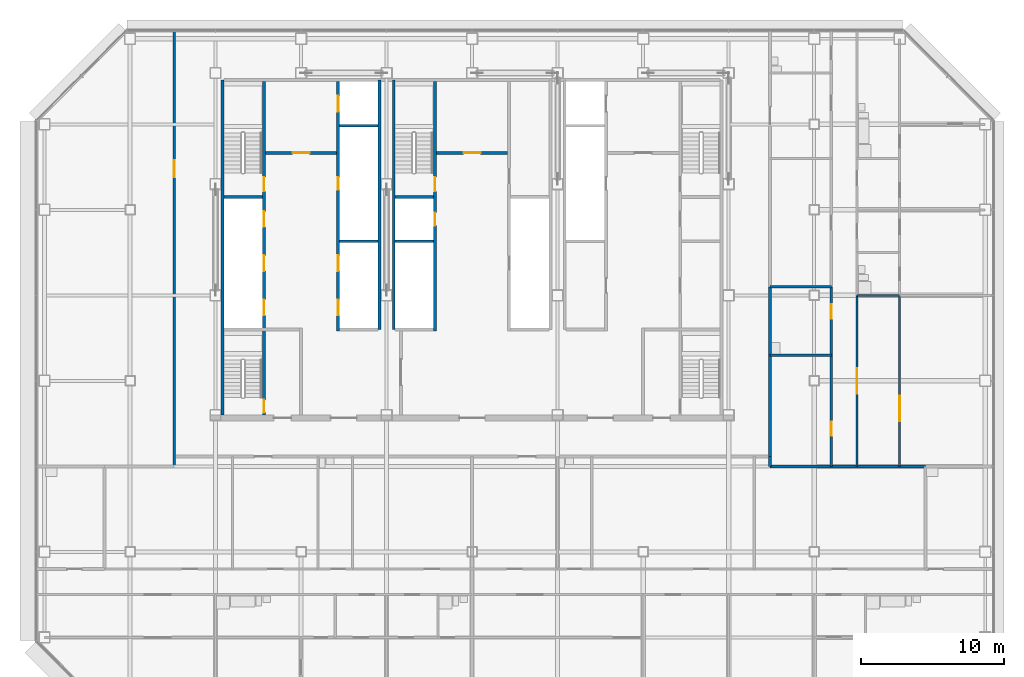
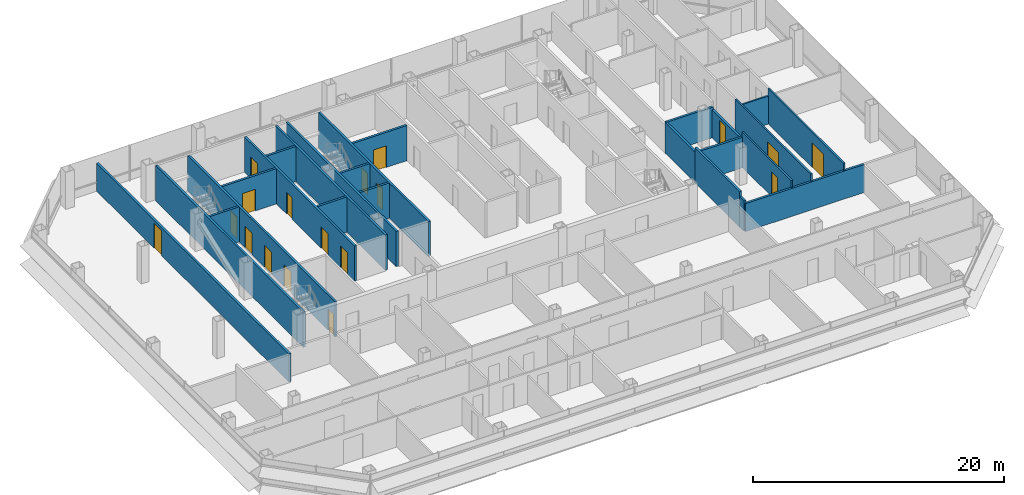
# One storey, part 21 of 25: 25 walls, 18 doors, 18 openings.
"""IFC4 building model written with IfcOpenShell, lengths in metres."""

from ifc_helpers import new_model, si_unit, direction, frame, frame_2d, origin, place, context, subcontext, project, spatial, rectangle, extrude, material, layer, layer_set, type_object, element, fill, save


model = new_model("IFC4")

# Units and contexts
model_context = context("Model", 3, precision=1e-05, world=origin(), true_north=direction((0.0, 1.0)))
body_context = subcontext(model_context, "Body", "Model", "MODEL_VIEW")
ifc_project = project(units=[si_unit("LENGTHUNIT", "METRE"), si_unit("AREAUNIT", "SQUARE_METRE"), si_unit("VOLUMEUNIT", "CUBIC_METRE"), si_unit("PLANEANGLEUNIT", "RADIAN"), si_unit("MASSUNIT", "GRAM", prefix="KILO")], contexts=[model_context])

# Site, building, storey
site_placement = place(None, origin())
site = spatial("IfcSite", under=ifc_project, at=site_placement, CompositionType="ELEMENT")
building_placement = place(site_placement, origin())
building = spatial("IfcBuilding", under=site, at=building_placement, Name="Sorahane Residences", CompositionType="ELEMENT")
storey_placement = place(building_placement, frame((0.0, 0.0, 143.800048828125)))
storey = spatial("IfcBuildingStorey", under=building, at=storey_placement, Name="L32", CompositionType="ELEMENT", Elevation=143.800048828125)

# Walls
ifc_material_1 = material(Name="Concrete C30", Category="concrete")
ifc_layer_1 = layer(ifc_material_1, 0.199951171875)
ifc_layer_set_1 = layer_set([ifc_layer_1], Name="Core face wall 200 EI 180")
wall_type_1 = type_object("IfcWallType", Name="Core face wall 200 EI 180", PredefinedType="SOLIDWALL", material=ifc_layer_set_1)
wall_1_placement = place(storey_placement, frame((6.5, 21.60009765625, 0.0), z_axis=(0.0, 0.0, 1.0), x_axis=(0.0, 1.0, 0.0)))
element("IfcWall", 1, at=wall_1_placement, inside=storey, type_object=wall_type_1, Name="L32 core face wall", PredefinedType="SOLIDWALL", context=body_context, shape_type="SweptSolid", body=[
    extrude(rectangle(XDim=23.5, YDim=0.199951171875, at=frame_2d((11.75, 0.0))), origin(), (0.0, 0.0, 1.0), 3.419921875),
])
for number, where, z_axis, x_axis, name in (
    (2, (17.5, 27.60009765625, 0.0), (0.0, 0.0, 1.0), (0.0, 1.0, 0.0), "L32 core face wall"),
    (3, (18.5, 27.60009765625, 0.0), (0.0, 0.0, 1.0), (0.0, 1.0, 0.0), "L32 core face wall"),
):
    element("IfcWall", number, at=place(storey_placement, frame(where, z_axis=z_axis, x_axis=x_axis)), inside=storey, type_object=wall_type_1, Name=name, PredefinedType="SOLIDWALL", context=body_context, shape_type="SweptSolid", body=[
        extrude(rectangle(XDim=17.5, YDim=0.199951171875, at=frame_2d((8.75, 0.0))), origin(), (0.0, 0.0, 1.0), 3.419921875),
    ])

# Wall, opening, door
ifc_material_2 = material(Name="Concrete blockwork C20 wall", Category="masonry")
ifc_layer_2 = layer(ifc_material_2, 0.199951171875)
ifc_layer_set_2 = layer_set([ifc_layer_2], Name="Corridor wall 200 EI 120")
wall_type_2 = type_object("IfcWallType", Name="Corridor wall 200 EI 120", PredefinedType="SOLIDWALL", material=ifc_layer_set_2)
wall_2_placement = place(storey_placement, frame((3.10009765625, 18.0, 0.0), z_axis=(0.0, 0.0, 1.0), x_axis=(0.0, 1.0, 0.0)))
wall_2 = element("IfcWall", 4, at=wall_2_placement, inside=storey, type_object=wall_type_2, Name="L32 corridor wall", PredefinedType="SOLIDWALL", context=body_context, shape_type="SweptSolid", body=[
    extrude(rectangle(XDim=30.60009765625, YDim=0.199951171875, at=frame_2d((15.300048828125, 0.0))), origin(), (0.0, 0.0, 1.0), 2.719970703125),
])
opening_1_placement = place(wall_2_placement, frame((20.27001953125, 0.0, 0.0)))
opening_1 = element("IfcOpeningElement", 5, at=opening_1_placement, cuts=wall_2, Name="Opening L32-45", PredefinedType="OPENING", context=body_context, shape_type="SweptSolid", body=[
    extrude(rectangle(XDim=1.199951171875, YDim=2.39990234375, at=frame_2d((0.60009765625, 1.199951171875))), frame((0.0, 0.10986328125, 0.0), z_axis=(0.0, -1.0, 0.0), x_axis=(1.0, 0.0, 0.0)), (0.0, 0.0, 1.0), 0.219970703125),
])
ifc_material_3 = material(Name="Steel", Category="steel")
door_type_1 = type_object("IfcDoorType", Name="Lobby door 1200x2400 FD60", OperationType="NOTDEFINED", PredefinedType="DOOR", material=ifc_material_3)
door_1_placement = place(opening_1_placement, origin())
door_1 = element("IfcDoor", 6, at=door_1_placement, inside=storey, type_object=door_type_1, Name="Lobby door L32-45", OperationType="SINGLE_SWING_RIGHT", OverallHeight=2.39990234375, OverallWidth=1.199951171875, PredefinedType="DOOR", context=body_context, shape_type="SweptSolid", body=[
    extrude(rectangle(XDim=1.199951171875, YDim=2.39990234375, at=frame_2d((0.60009765625, 1.199951171875))), frame((0.0, 0.02490234375, 0.0), z_axis=(0.0, -1.0, 0.0), x_axis=(1.0, 0.0, 0.0)), (0.0, 0.0, 1.0), 0.050048828125),
])
fill(opening_1, door_1)

# Wall
wall_3_placement = place(storey_placement, frame((44.89990234375, 18.699951171875, 0.0), z_axis=(0.0, 0.0, 1.0), x_axis=(0.0, 1.0, 0.0)))
element("IfcWall", 7, at=wall_3_placement, inside=storey, type_object=wall_type_2, Name="L32 corridor wall", PredefinedType="SOLIDWALL", context=body_context, shape_type="SweptSolid", body=[
    extrude(rectangle(XDim=7.10009765625, YDim=0.199951171875, at=frame_2d((3.550048828125, 0.0))), origin(), (0.0, 0.0, 1.0), 3.419921875),
])

# Wall, opening, door
ifc_material_4 = material(Name="Concrete C30", Category="concrete")
ifc_layer_3 = layer(ifc_material_4, 0.199951171875)
ifc_layer_set_3 = layer_set([ifc_layer_3], Name="Front room wall 200 EI 120")
wall_type_3 = type_object("IfcWallType", Name="Front room wall 200 EI 120", PredefinedType="PARTITIONING", material=ifc_layer_set_3)
wall_4_placement = place(storey_placement, frame((21.5, 40.0, 0.0), z_axis=(0.0, 0.0, 1.0), x_axis=(1.0, 0.0, 0.0)))
wall_4 = element("IfcWall", 8, at=wall_4_placement, inside=storey, type_object=wall_type_3, Name="L32 front room wall", PredefinedType="PARTITIONING", context=body_context, shape_type="SweptSolid", body=[
    extrude(rectangle(XDim=5.0, YDim=0.199951171875, at=frame_2d((2.5, 0.0))), origin(), (0.0, 0.0, 1.0), 3.419921875),
])
opening_2_placement = place(wall_4_placement, frame((1.89990234375, 0.0, 0.0)))
opening_2 = element("IfcOpeningElement", 9, at=opening_2_placement, cuts=wall_4, Name="Opening L32-C08", PredefinedType="OPENING", context=body_context, shape_type="SweptSolid", body=[
    extrude(rectangle(XDim=1.199951171875, YDim=2.10009765625, at=frame_2d((0.60009765625, 1.050048828125))), frame((0.0, 0.10986328125, 0.0), z_axis=(0.0, -1.0, 0.0), x_axis=(1.0, 0.0, 0.0)), (0.0, 0.0, 1.0), 0.219970703125),
])
ifc_material_5 = material(Name="Steel", Category="steel")
door_type_2 = type_object("IfcDoorType", Name="Front room door 1200x2100 FD120", OperationType="NOTDEFINED", PredefinedType="DOOR", material=ifc_material_5)
door_2_placement = place(opening_2_placement, frame((1.199951171875, 0.0, 0.0), z_axis=(0.0, 0.0, 1.0), x_axis=(-1.0, 0.0, 0.0)))
door_2 = element("IfcDoor", 10, at=door_2_placement, inside=storey, type_object=door_type_2, Name="Front room door Stair S3 vestibule L32", OperationType="DOUBLE_DOOR_SINGLE_SWING", OverallHeight=2.10009765625, OverallWidth=1.199951171875, PredefinedType="DOOR", context=body_context, shape_type="SweptSolid", body=[
    extrude(rectangle(XDim=1.199951171875, YDim=2.10009765625, at=frame_2d((0.60009765625, 1.050048828125))), frame((0.0, 0.02490234375, 0.0), z_axis=(0.0, -1.0, 0.0), x_axis=(1.0, 0.0, 0.0)), (0.0, 0.0, 1.0), 0.050048828125),
])
fill(opening_2, door_2)

wall_5_placement = place(storey_placement, frame((9.5, 40.0, 0.0), z_axis=(0.0, 0.0, 1.0), x_axis=(1.0, 0.0, 0.0)))
wall_5 = element("IfcWall", 11, at=wall_5_placement, inside=storey, type_object=wall_type_3, Name="L32 front room wall", PredefinedType="PARTITIONING", context=body_context, shape_type="SweptSolid", body=[
    extrude(rectangle(XDim=5.0, YDim=0.199951171875, at=frame_2d((2.5, 0.0))), origin(), (0.0, 0.0, 1.0), 3.419921875),
])
opening_3_placement = place(wall_5_placement, frame((1.89990234375, 0.0, 0.0)))
opening_3 = element("IfcOpeningElement", 12, at=opening_3_placement, cuts=wall_5, Name="Opening L32-C07", PredefinedType="OPENING", context=body_context, shape_type="SweptSolid", body=[
    extrude(rectangle(XDim=1.199951171875, YDim=2.10009765625, at=frame_2d((0.60009765625, 1.050048828125))), frame((0.0, 0.10986328125, 0.0), z_axis=(0.0, -1.0, 0.0), x_axis=(1.0, 0.0, 0.0)), (0.0, 0.0, 1.0), 0.219970703125),
])
door_3_placement = place(opening_3_placement, frame((1.199951171875, 0.0, 0.0), z_axis=(0.0, 0.0, 1.0), x_axis=(-1.0, 0.0, 0.0)))
door_3 = element("IfcDoor", 13, at=door_3_placement, inside=storey, type_object=door_type_2, Name="Front room door Firefighting lobby FF1 front room L32", OperationType="DOUBLE_DOOR_SINGLE_SWING", OverallHeight=2.10009765625, OverallWidth=1.199951171875, PredefinedType="DOOR", context=body_context, shape_type="SweptSolid", body=[
    extrude(rectangle(XDim=1.199951171875, YDim=2.10009765625, at=frame_2d((0.60009765625, 1.050048828125))), frame((0.0, 0.02490234375, 0.0), z_axis=(0.0, -1.0, 0.0), x_axis=(1.0, 0.0, 0.0)), (0.0, 0.0, 1.0), 0.050048828125),
])
fill(opening_3, door_3)

# Wall
ifc_material_6 = material(Name="Concrete blockwork C20 wall", Category="masonry")
ifc_layer_4 = layer(ifc_material_6, 0.199951171875)
ifc_layer_set_4 = layer_set([ifc_layer_4], Name="Kitchen wall 200 EI 180")
wall_type_4 = type_object("IfcWallType", Name="Kitchen wall 200 EI 180", PredefinedType="SOLIDWALL", material=ifc_layer_set_4)
wall_6_placement = place(storey_placement, frame((44.89990234375, 25.800048828125, 0.0), z_axis=(0.0, 0.0, 1.0), x_axis=(0.0, 1.0, 0.0)))
element("IfcWall", 14, at=wall_6_placement, inside=storey, type_object=wall_type_4, Name="L32 kitchen wall", PredefinedType="SOLIDWALL", context=body_context, shape_type="SweptSolid", body=[
    extrude(rectangle(XDim=4.800048828125, YDim=0.199951171875, at=frame_2d((2.39990234375, 0.0))), origin(), (0.0, 0.0, 1.0), 2.969970703125),
])

# Wall, opening, door
wall_7_placement = place(storey_placement, frame((49.199951171875, 25.800048828125, 0.0), z_axis=(0.0, 0.0, 1.0), x_axis=(0.0, 1.0, 0.0)))
wall_7 = element("IfcWall", 15, at=wall_7_placement, inside=storey, type_object=wall_type_4, Name="L32 kitchen wall", PredefinedType="SOLIDWALL", context=body_context, shape_type="SweptSolid", body=[
    extrude(rectangle(XDim=4.800048828125, YDim=0.199951171875, at=frame_2d((2.39990234375, 0.0))), origin(), (0.0, 0.0, 1.0), 2.719970703125),
])
opening_4_placement = place(wall_7_placement, frame((2.56005859375, 0.0, 0.0)))
opening_4 = element("IfcOpeningElement", 16, at=opening_4_placement, cuts=wall_7, Name="Opening L32-30", PredefinedType="OPENING", context=body_context, shape_type="SweptSolid", body=[
    extrude(rectangle(XDim=1.0, YDim=2.39990234375, at=frame_2d((0.5, 1.199951171875))), frame((0.0, 0.10986328125, 0.0), z_axis=(0.0, -1.0, 0.0), x_axis=(1.0, 0.0, 0.0)), (0.0, 0.0, 1.0), 0.219970703125),
])
ifc_material_7 = material(Name="Steel", Category="steel")
door_type_3 = type_object("IfcDoorType", Name="Kitchen door 1000x2400 FD120", OperationType="NOTDEFINED", PredefinedType="DOOR", material=ifc_material_7)
door_4_placement = place(opening_4_placement, origin())
door_4 = element("IfcDoor", 17, at=door_4_placement, inside=storey, type_object=door_type_3, Name="Kitchen door L32-30", OperationType="SINGLE_SWING_RIGHT", OverallHeight=2.39990234375, OverallWidth=1.0, PredefinedType="DOOR", context=body_context, shape_type="SweptSolid", body=[
    extrude(rectangle(XDim=1.0, YDim=2.39990234375, at=frame_2d((0.5, 1.199951171875))), frame((0.0, 0.02490234375, 0.0), z_axis=(0.0, -1.0, 0.0), x_axis=(1.0, 0.0, 0.0)), (0.0, 0.0, 1.0), 0.050048828125),
])
fill(opening_4, door_4)

# Walls
for number, where, z_axis, x_axis, name in (
    (18, (44.89990234375, 25.800048828125, 0.0), (0.0, 0.0, 1.0), (1.0, 0.0, 0.0), "L32 kitchen wall"),
    (19, (44.89990234375, 30.60009765625, 0.0), (0.0, 0.0, 1.0), (1.0, 0.0, 0.0), "L32 kitchen wall"),
):
    element("IfcWall", number, at=place(storey_placement, frame(where, z_axis=z_axis, x_axis=x_axis)), inside=storey, type_object=wall_type_4, Name=name, PredefinedType="SOLIDWALL", context=body_context, shape_type="SweptSolid", body=[
        extrude(rectangle(XDim=4.300048828125, YDim=0.199951171875, at=frame_2d((2.14990234375, 0.0))), origin(), (0.0, 0.0, 1.0), 2.969970703125),
    ])

# Wall, openings, doors
ifc_material_8 = material(Name="Concrete C30", Category="concrete")
ifc_layer_5 = layer(ifc_material_8, 0.199951171875)
ifc_layer_set_5 = layer_set([ifc_layer_5], Name="Lift shaft wall 200 EI 120")
wall_type_5 = type_object("IfcWallType", Name="Lift shaft wall 200 EI 120", PredefinedType="SOLIDWALL", material=ifc_layer_set_5)
wall_8_placement = place(storey_placement, frame((14.60009765625, 27.5, 0.0), z_axis=(0.0, 0.0, 1.0), x_axis=(0.0, 1.0, 0.0)))
wall_8 = element("IfcWall", 20, at=wall_8_placement, inside=storey, type_object=wall_type_5, Name="L32 lift shaft wall", PredefinedType="SOLIDWALL", context=body_context, shape_type="SweptSolid", body=[
    extrude(rectangle(XDim=17.5, YDim=0.199951171875, at=frame_2d((8.75, 0.0))), origin(), (0.0, 0.0, 1.0), 3.419921875),
])
opening_5_placement = place(wall_8_placement, frame((1.10009765625, 0.0, 0.0)))
opening_5 = element("IfcOpeningElement", 21, at=opening_5_placement, cuts=wall_8, Name="Opening L32-C11", PredefinedType="OPENING", context=body_context, shape_type="SweptSolid", body=[
    extrude(rectangle(XDim=1.10009765625, YDim=2.10009765625, at=frame_2d((0.550048828125, 1.050048828125))), frame((0.0, 0.10986328125, 0.0), z_axis=(0.0, -1.0, 0.0), x_axis=(1.0, 0.0, 0.0)), (0.0, 0.0, 1.0), 0.219970703125),
])
opening_6_placement = place(wall_8_placement, frame((4.199951171875, 0.0, 0.0)))
opening_6 = element("IfcOpeningElement", 22, at=opening_6_placement, cuts=wall_8, Name="Opening L32-C12", PredefinedType="OPENING", context=body_context, shape_type="SweptSolid", body=[
    extrude(rectangle(XDim=1.10009765625, YDim=2.10009765625, at=frame_2d((0.550048828125, 1.050048828125))), frame((0.0, 0.10986328125, 0.0), z_axis=(0.0, -1.0, 0.0), x_axis=(1.0, 0.0, 0.0)), (0.0, 0.0, 1.0), 0.219970703125),
])
opening_7_placement = place(wall_8_placement, frame((15.39990234375, 0.0, 0.0)))
opening_7 = element("IfcOpeningElement", 23, at=opening_7_placement, cuts=wall_8, Name="Opening L32-C13", PredefinedType="OPENING", context=body_context, shape_type="SweptSolid", body=[
    extrude(rectangle(XDim=1.10009765625, YDim=2.10009765625, at=frame_2d((0.550048828125, 1.050048828125))), frame((0.0, 0.10986328125, 0.0), z_axis=(0.0, -1.0, 0.0), x_axis=(1.0, 0.0, 0.0)), (0.0, 0.0, 1.0), 0.219970703125),
])
opening_8_placement = place(wall_8_placement, frame((9.89990234375, 0.0, 0.0)))
opening_8 = element("IfcOpeningElement", 24, at=opening_8_placement, cuts=wall_8, Name="Opening L32-C25", PredefinedType="OPENING", context=body_context, shape_type="SweptSolid", body=[
    extrude(rectangle(XDim=0.89990234375, YDim=2.10009765625, at=frame_2d((0.449951171875, 1.050048828125))), frame((0.0, 0.10986328125, 0.0), z_axis=(0.0, -1.0, 0.0), x_axis=(1.0, 0.0, 0.0)), (0.0, 0.0, 1.0), 0.219970703125),
])
ifc_material_9 = material(Name="Aluminium and stainless steel", Category="steel")
door_type_4 = type_object("IfcDoorType", Name="Lift landing door 1100x2100 E 60", OperationType="NOTDEFINED", PredefinedType="DOOR", material=ifc_material_9)
door_5_placement = place(opening_5_placement, origin())
door_5 = element("IfcDoor", 25, at=door_5_placement, inside=storey, type_object=door_type_4, Name="Lift landing door LR4 L32", OperationType="DOUBLE_DOOR_SLIDING", OverallHeight=2.10009765625, OverallWidth=1.10009765625, PredefinedType="DOOR", context=body_context, shape_type="SweptSolid", body=[
    extrude(rectangle(XDim=1.10009765625, YDim=2.10009765625, at=frame_2d((0.550048828125, 1.050048828125))), frame((0.0, 0.02490234375, 0.0), z_axis=(0.0, -1.0, 0.0), x_axis=(1.0, 0.0, 0.0)), (0.0, 0.0, 1.0), 0.050048828125),
])
fill(opening_5, door_5)
door_6_placement = place(opening_6_placement, origin())
door_6 = element("IfcDoor", 26, at=door_6_placement, inside=storey, type_object=door_type_4, Name="Lift landing door LR5 L32", OperationType="DOUBLE_DOOR_SLIDING", OverallHeight=2.10009765625, OverallWidth=1.10009765625, PredefinedType="DOOR", context=body_context, shape_type="SweptSolid", body=[
    extrude(rectangle(XDim=1.10009765625, YDim=2.10009765625, at=frame_2d((0.550048828125, 1.050048828125))), frame((0.0, 0.02490234375, 0.0), z_axis=(0.0, -1.0, 0.0), x_axis=(1.0, 0.0, 0.0)), (0.0, 0.0, 1.0), 0.050048828125),
])
fill(opening_6, door_6)
door_7_placement = place(opening_7_placement, origin())
door_7 = element("IfcDoor", 27, at=door_7_placement, inside=storey, type_object=door_type_4, Name="Lift landing door FF1 L32", OperationType="DOUBLE_DOOR_SLIDING", OverallHeight=2.10009765625, OverallWidth=1.10009765625, PredefinedType="DOOR", context=body_context, shape_type="SweptSolid", body=[
    extrude(rectangle(XDim=1.10009765625, YDim=2.10009765625, at=frame_2d((0.550048828125, 1.050048828125))), frame((0.0, 0.02490234375, 0.0), z_axis=(0.0, -1.0, 0.0), x_axis=(1.0, 0.0, 0.0)), (0.0, 0.0, 1.0), 0.050048828125),
])
fill(opening_7, door_7)
ifc_material_10 = material(Name="Steel", Category="steel")
door_type_5 = type_object("IfcDoorType", Name="Riser door 900x2100 FD120", OperationType="NOTDEFINED", PredefinedType="DOOR", material=ifc_material_10)
door_8_placement = place(opening_8_placement, origin())
door_8 = element("IfcDoor", 28, at=door_8_placement, inside=storey, type_object=door_type_5, Name="Riser door R1 L32", OperationType="SINGLE_SWING_LEFT", OverallHeight=2.10009765625, OverallWidth=0.89990234375, PredefinedType="DOOR", context=body_context, shape_type="SweptSolid", body=[
    extrude(rectangle(XDim=0.89990234375, YDim=2.10009765625, at=frame_2d((0.449951171875, 1.050048828125))), frame((0.0, 0.02490234375, 0.0), z_axis=(0.0, -1.0, 0.0), x_axis=(1.0, 0.0, 0.0)), (0.0, 0.0, 1.0), 0.050048828125),
])
fill(opening_8, door_8)

# Walls
for number, where, z_axis, x_axis, name in (
    (29, (14.699951171875, 33.800048828125, 0.0), (0.0, 0.0, 1.0), (1.0, 0.0, 0.0), "L32 lift shaft wall"),
    (30, (18.60009765625, 33.800048828125, 0.0), (0.0, 0.0, 1.0), (1.0, 0.0, 0.0), "L32 lift shaft wall"),
    (31, (14.699951171875, 41.89990234375, 0.0), (0.0, 0.0, 1.0), (1.0, 0.0, 0.0), "L32 lift shaft wall"),
):
    element("IfcWall", number, at=place(storey_placement, frame(where, z_axis=z_axis, x_axis=x_axis)), inside=storey, type_object=wall_type_5, Name=name, PredefinedType="SOLIDWALL", context=body_context, shape_type="SweptSolid", body=[
        extrude(rectangle(XDim=2.699951171875, YDim=0.199951171875, at=frame_2d((1.35009765625, 0.0))), origin(), (0.0, 0.0, 1.0), 3.419921875),
    ])

# Wall, opening, door
ifc_material_11 = material(Name="Gypsum board partition on steel studs", Category="steel")
ifc_layer_6 = layer(ifc_material_11, 0.14990234375)
ifc_layer_set_6 = layer_set([ifc_layer_6], Name="Partition 150 EI 90")
wall_type_6 = type_object("IfcWallType", Name="Partition 150 EI 90", PredefinedType="PARTITIONING", material=ifc_layer_set_6)
wall_9_placement = place(storey_placement, frame((49.199951171875, 18.0, 0.0), z_axis=(0.0, 0.0, 1.0), x_axis=(0.0, 1.0, 0.0)))
wall_9 = element("IfcWall", 32, at=wall_9_placement, inside=storey, type_object=wall_type_6, Name="L32 partition", PredefinedType="PARTITIONING", context=body_context, shape_type="SweptSolid", body=[
    extrude(rectangle(XDim=7.800048828125, YDim=0.14990234375, at=frame_2d((3.89990234375, 0.0))), origin(), (0.0, 0.0, 1.0), 3.419921875),
])
opening_9_placement = place(wall_9_placement, frame((2.139892578125, 0.0, 0.0)))
opening_9 = element("IfcOpeningElement", 33, at=opening_9_placement, cuts=wall_9, Name="Opening L32-29", PredefinedType="OPENING", context=body_context, shape_type="SweptSolid", body=[
    extrude(rectangle(XDim=1.0, YDim=2.39990234375, at=frame_2d((0.5, 1.199951171875))), frame((0.0, 0.0849609375, 0.0), z_axis=(0.0, -1.0, 0.0), x_axis=(1.0, 0.0, 0.0)), (0.0, 0.0, 1.0), 0.169921875),
])
ifc_material_12 = material(Name="Timber veneered fire door", Category="wood")
door_type_6 = type_object("IfcDoorType", Name="Room door 1000x2400 FD30", OperationType="NOTDEFINED", PredefinedType="DOOR", material=ifc_material_12)
door_9_placement = place(opening_9_placement, origin())
door_9 = element("IfcDoor", 34, at=door_9_placement, inside=storey, type_object=door_type_6, Name="Room door L32-29", OperationType="SINGLE_SWING_RIGHT", OverallHeight=2.39990234375, OverallWidth=1.0, PredefinedType="DOOR", context=body_context, shape_type="SweptSolid", body=[
    extrude(rectangle(XDim=1.0, YDim=2.39990234375, at=frame_2d((0.5, 1.199951171875))), frame((0.0, 0.02490234375, 0.0), z_axis=(0.0, -1.0, 0.0), x_axis=(1.0, 0.0, 0.0)), (0.0, 0.0, 1.0), 0.050048828125),
])
fill(opening_9, door_9)

wall_10_placement = place(storey_placement, frame((51.0, 18.0, 0.0), z_axis=(0.0, 0.0, 1.0), x_axis=(0.0, 1.0, 0.0)))
wall_10 = element("IfcWall", 35, at=wall_10_placement, inside=storey, type_object=wall_type_6, Name="L32 partition", PredefinedType="PARTITIONING", context=body_context, shape_type="SweptSolid", body=[
    extrude(rectangle(XDim=12.0, YDim=0.14990234375, at=frame_2d((6.0, 0.0))), origin(), (0.0, 0.0, 1.0), 3.419921875),
])
opening_10_placement = place(wall_10_placement, frame((5.10009765625, 0.0, 0.0)))
opening_10 = element("IfcOpeningElement", 36, at=opening_10_placement, cuts=wall_10, Name="Opening L32-33", PredefinedType="OPENING", context=body_context, shape_type="SweptSolid", body=[
    extrude(rectangle(XDim=1.800048828125, YDim=2.39990234375, at=frame_2d((0.89990234375, 1.199951171875))), frame((0.0, 0.0849609375, 0.0), z_axis=(0.0, -1.0, 0.0), x_axis=(1.0, 0.0, 0.0)), (0.0, 0.0, 1.0), 0.169921875),
])
ifc_material_13 = material(Name="Timber veneered fire door", Category="wood")
door_type_7 = type_object("IfcDoorType", Name="Double door 1800x2400 FD30", OperationType="NOTDEFINED", PredefinedType="DOOR", material=ifc_material_13)
door_10_placement = place(opening_10_placement, frame((1.800048828125, 0.0, 0.0), z_axis=(0.0, 0.0, 1.0), x_axis=(-1.0, 0.0, 0.0)))
door_10 = element("IfcDoor", 37, at=door_10_placement, inside=storey, type_object=door_type_7, Name="Double door L32-33", OperationType="SINGLE_SWING_RIGHT", OverallHeight=2.39990234375, OverallWidth=1.800048828125, PredefinedType="DOOR", context=body_context, shape_type="SweptSolid", body=[
    extrude(rectangle(XDim=1.800048828125, YDim=2.39990234375, at=frame_2d((0.89990234375, 1.199951171875))), frame((0.0, 0.02490234375, 0.0), z_axis=(0.0, -1.0, 0.0), x_axis=(1.0, 0.0, 0.0)), (0.0, 0.0, 1.0), 0.050048828125),
])
fill(opening_10, door_10)

wall_11_placement = place(storey_placement, frame((54.0, 18.0, 0.0), z_axis=(0.0, 0.0, 1.0), x_axis=(0.0, 1.0, 0.0)))
wall_11 = element("IfcWall", 38, at=wall_11_placement, inside=storey, type_object=wall_type_6, Name="L32 partition", PredefinedType="PARTITIONING", context=body_context, shape_type="SweptSolid", body=[
    extrude(rectangle(XDim=12.0, YDim=0.14990234375, at=frame_2d((6.0, 0.0))), origin(), (0.0, 0.0, 1.0), 3.419921875),
])
opening_11_placement = place(wall_11_placement, frame((3.159912109375, 0.0, 0.0)))
opening_11 = element("IfcOpeningElement", 39, at=opening_11_placement, cuts=wall_11, Name="Opening L32-36", PredefinedType="OPENING", context=body_context, shape_type="SweptSolid", body=[
    extrude(rectangle(XDim=1.800048828125, YDim=2.39990234375, at=frame_2d((0.89990234375, 1.199951171875))), frame((0.0, 0.0849609375, 0.0), z_axis=(0.0, -1.0, 0.0), x_axis=(1.0, 0.0, 0.0)), (0.0, 0.0, 1.0), 0.169921875),
])
door_11_placement = place(opening_11_placement, frame((1.800048828125, 0.0, 0.0), z_axis=(0.0, 0.0, 1.0), x_axis=(-1.0, 0.0, 0.0)))
door_11 = element("IfcDoor", 40, at=door_11_placement, inside=storey, type_object=door_type_7, Name="Double door L32-36", OperationType="SINGLE_SWING_RIGHT", OverallHeight=2.39990234375, OverallWidth=1.800048828125, PredefinedType="DOOR", context=body_context, shape_type="SweptSolid", body=[
    extrude(rectangle(XDim=1.800048828125, YDim=2.39990234375, at=frame_2d((0.89990234375, 1.199951171875))), frame((0.0, 0.02490234375, 0.0), z_axis=(0.0, -1.0, 0.0), x_axis=(1.0, 0.0, 0.0)), (0.0, 0.0, 1.0), 0.050048828125),
])
fill(opening_11, door_11)

# Walls
ifc_material_14 = material(Name="Concrete blockwork C20 wall", Category="masonry")
ifc_layer_7 = layer(ifc_material_14, 0.199951171875)
ifc_layer_set_7 = layer_set([ifc_layer_7], Name="Party wall 200 EI 120")
wall_type_7 = type_object("IfcWallType", Name="Party wall 200 EI 120", PredefinedType="SOLIDWALL", material=ifc_layer_set_7)
wall_12_placement = place(storey_placement, frame((44.89990234375, 18.0, 0.0), z_axis=(0.0, 0.0, 1.0), x_axis=(0.0, 1.0, 0.0)))
element("IfcWall", 41, at=wall_12_placement, inside=storey, type_object=wall_type_7, Name="L32 party wall", PredefinedType="SOLIDWALL", context=body_context, shape_type="SweptSolid", body=[
    extrude(rectangle(XDim=0.699951171875, YDim=0.199951171875, at=frame_2d((0.35009765625, 0.0))), origin(), (0.0, 0.0, 1.0), 2.969970703125),
])
wall_13_placement = place(storey_placement, frame((44.89990234375, 18.0, 0.0), z_axis=(0.0, 0.0, 1.0), x_axis=(1.0, 0.0, 0.0)))
element("IfcWall", 42, at=wall_13_placement, inside=storey, type_object=wall_type_7, Name="L32 party wall", PredefinedType="SOLIDWALL", context=body_context, shape_type="SweptSolid", body=[
    extrude(rectangle(XDim=10.900146484375, YDim=0.199951171875, at=frame_2d((5.4501953125, 0.0))), origin(), (0.0, 0.0, 1.0), 2.719970703125),
])

# Wall, openings, doors
ifc_material_15 = material(Name="Concrete C30", Category="concrete")
ifc_layer_8 = layer(ifc_material_15, 0.199951171875)
ifc_layer_set_8 = layer_set([ifc_layer_8], Name="Stair enclosure wall 200 EI 120")
wall_type_8 = type_object("IfcWallType", Name="Stair enclosure wall 200 EI 120", PredefinedType="SOLIDWALL", material=ifc_layer_set_8)
wall_14_placement = place(storey_placement, frame((21.39990234375, 27.5, 0.0), z_axis=(0.0, 0.0, 1.0), x_axis=(0.0, 1.0, 0.0)))
wall_14 = element("IfcWall", 43, at=wall_14_placement, inside=storey, type_object=wall_type_8, Name="L32 stair enclosure wall", PredefinedType="SOLIDWALL", context=body_context, shape_type="SweptSolid", body=[
    extrude(rectangle(XDim=17.5, YDim=0.199951171875, at=frame_2d((8.75, 0.0))), origin(), (0.0, 0.0, 1.0), 3.419921875),
])
opening_12_placement = place(wall_14_placement, frame((9.800048828125, 0.0, 0.0)))
opening_12 = element("IfcOpeningElement", 44, at=opening_12_placement, cuts=wall_14, Name="Opening L32-C22", PredefinedType="OPENING", context=body_context, shape_type="SweptSolid", body=[
    extrude(rectangle(XDim=1.0, YDim=2.10009765625, at=frame_2d((0.5, 1.050048828125))), frame((0.0, 0.10986328125, 0.0), z_axis=(0.0, -1.0, 0.0), x_axis=(1.0, 0.0, 0.0)), (0.0, 0.0, 1.0), 0.219970703125),
])
opening_13_placement = place(wall_14_placement, frame((7.39990234375, 0.0, 0.0)))
opening_13 = element("IfcOpeningElement", 45, at=opening_13_placement, cuts=wall_14, Name="Opening L32-C27", PredefinedType="OPENING", context=body_context, shape_type="SweptSolid", body=[
    extrude(rectangle(XDim=0.89990234375, YDim=2.10009765625, at=frame_2d((0.449951171875, 1.050048828125))), frame((0.0, 0.10986328125, 0.0), z_axis=(0.0, -1.0, 0.0), x_axis=(1.0, 0.0, 0.0)), (0.0, 0.0, 1.0), 0.219970703125),
])
door_12_placement = place(opening_13_placement, frame((0.89990234375, 0.0, 0.0), z_axis=(0.0, 0.0, 1.0), x_axis=(-1.0, 0.0, 0.0)))
door_12 = element("IfcDoor", 46, at=door_12_placement, inside=storey, type_object=door_type_5, Name="Riser door R3 L32", OperationType="SINGLE_SWING_LEFT", OverallHeight=2.10009765625, OverallWidth=0.89990234375, PredefinedType="DOOR", context=body_context, shape_type="SweptSolid", body=[
    extrude(rectangle(XDim=0.89990234375, YDim=2.10009765625, at=frame_2d((0.449951171875, 1.050048828125))), frame((0.0, 0.02490234375, 0.0), z_axis=(0.0, -1.0, 0.0), x_axis=(1.0, 0.0, 0.0)), (0.0, 0.0, 1.0), 0.050048828125),
])
fill(opening_13, door_12)
ifc_material_16 = material(Name="Steel", Category="steel")
door_type_8 = type_object("IfcDoorType", Name="Stair door 1000x2100 FD120", OperationType="NOTDEFINED", PredefinedType="DOOR", material=ifc_material_16)
door_13_placement = place(opening_12_placement, origin())
door_13 = element("IfcDoor", 47, at=door_13_placement, inside=storey, type_object=door_type_8, Name="Stair door S3 L32", OperationType="SINGLE_SWING_LEFT", OverallHeight=2.10009765625, OverallWidth=1.0, PredefinedType="DOOR", context=body_context, shape_type="SweptSolid", body=[
    extrude(rectangle(XDim=1.0, YDim=2.10009765625, at=frame_2d((0.5, 1.050048828125))), frame((0.0, 0.02490234375, 0.0), z_axis=(0.0, -1.0, 0.0), x_axis=(1.0, 0.0, 0.0)), (0.0, 0.0, 1.0), 0.050048828125),
])
fill(opening_12, door_13)

wall_15_placement = place(storey_placement, frame((9.39990234375, 21.60009765625, 0.0), z_axis=(0.0, 0.0, 1.0), x_axis=(0.0, 1.0, 0.0)))
wall_15 = element("IfcWall", 48, at=wall_15_placement, inside=storey, type_object=wall_type_8, Name="L32 stair enclosure wall", PredefinedType="SOLIDWALL", context=body_context, shape_type="SweptSolid", body=[
    extrude(rectangle(XDim=23.39990234375, YDim=0.199951171875, at=frame_2d((11.699951171875, 0.0))), origin(), (0.0, 0.0, 1.0), 3.419921875),
])
opening_14_placement = place(wall_15_placement, frame((7.0, 0.0, 0.0)))
opening_14 = element("IfcOpeningElement", 49, at=opening_14_placement, cuts=wall_15, Name="Opening L32-C14", PredefinedType="OPENING", context=body_context, shape_type="SweptSolid", body=[
    extrude(rectangle(XDim=1.10009765625, YDim=2.10009765625, at=frame_2d((0.550048828125, 1.050048828125))), frame((0.0, 0.10986328125, 0.0), z_axis=(0.0, -1.0, 0.0), x_axis=(1.0, 0.0, 0.0)), (0.0, 0.0, 1.0), 0.219970703125),
])
opening_15_placement = place(wall_15_placement, frame((10.10009765625, 0.0, 0.0)))
opening_15 = element("IfcOpeningElement", 50, at=opening_15_placement, cuts=wall_15, Name="Opening L32-C15", PredefinedType="OPENING", context=body_context, shape_type="SweptSolid", body=[
    extrude(rectangle(XDim=1.10009765625, YDim=2.10009765625, at=frame_2d((0.550048828125, 1.050048828125))), frame((0.0, 0.10986328125, 0.0), z_axis=(0.0, -1.0, 0.0), x_axis=(1.0, 0.0, 0.0)), (0.0, 0.0, 1.0), 0.219970703125),
])
opening_16_placement = place(wall_15_placement, frame((13.199951171875, 0.0, 0.0)))
opening_16 = element("IfcOpeningElement", 51, at=opening_16_placement, cuts=wall_15, Name="Opening L32-C16", PredefinedType="OPENING", context=body_context, shape_type="SweptSolid", body=[
    extrude(rectangle(XDim=1.10009765625, YDim=2.10009765625, at=frame_2d((0.550048828125, 1.050048828125))), frame((0.0, 0.10986328125, 0.0), z_axis=(0.0, -1.0, 0.0), x_axis=(1.0, 0.0, 0.0)), (0.0, 0.0, 1.0), 0.219970703125),
])
opening_17_placement = place(wall_15_placement, frame((15.699951171875, 0.0, 0.0)))
opening_17 = element("IfcOpeningElement", 52, at=opening_17_placement, cuts=wall_15, Name="Opening L32-C20", PredefinedType="OPENING", context=body_context, shape_type="SweptSolid", body=[
    extrude(rectangle(XDim=1.0, YDim=2.10009765625, at=frame_2d((0.5, 1.050048828125))), frame((0.0, 0.10986328125, 0.0), z_axis=(0.0, -1.0, 0.0), x_axis=(1.0, 0.0, 0.0)), (0.0, 0.0, 1.0), 0.219970703125),
])
opening_18_placement = place(wall_15_placement, frame((0.175048828125, 0.0, 0.0)))
opening_18 = element("IfcOpeningElement", 53, at=opening_18_placement, cuts=wall_15, Name="Opening L32-C23", PredefinedType="OPENING", context=body_context, shape_type="SweptSolid", body=[
    extrude(rectangle(XDim=0.89990234375, YDim=2.10009765625, at=frame_2d((0.449951171875, 1.050048828125))), frame((0.0, 0.10986328125, 0.0), z_axis=(0.0, -1.0, 0.0), x_axis=(1.0, 0.0, 0.0)), (0.0, 0.0, 1.0), 0.219970703125),
])
door_14_placement = place(opening_14_placement, origin())
door_14 = element("IfcDoor", 54, at=door_14_placement, inside=storey, type_object=door_type_4, Name="Lift landing door LR1 L32", OperationType="DOUBLE_DOOR_SLIDING", OverallHeight=2.10009765625, OverallWidth=1.10009765625, PredefinedType="DOOR", context=body_context, shape_type="SweptSolid", body=[
    extrude(rectangle(XDim=1.10009765625, YDim=2.10009765625, at=frame_2d((0.550048828125, 1.050048828125))), frame((0.0, 0.02490234375, 0.0), z_axis=(0.0, -1.0, 0.0), x_axis=(1.0, 0.0, 0.0)), (0.0, 0.0, 1.0), 0.050048828125),
])
fill(opening_14, door_14)
door_15_placement = place(opening_15_placement, origin())
door_15 = element("IfcDoor", 55, at=door_15_placement, inside=storey, type_object=door_type_4, Name="Lift landing door LR2 L32", OperationType="DOUBLE_DOOR_SLIDING", OverallHeight=2.10009765625, OverallWidth=1.10009765625, PredefinedType="DOOR", context=body_context, shape_type="SweptSolid", body=[
    extrude(rectangle(XDim=1.10009765625, YDim=2.10009765625, at=frame_2d((0.550048828125, 1.050048828125))), frame((0.0, 0.02490234375, 0.0), z_axis=(0.0, -1.0, 0.0), x_axis=(1.0, 0.0, 0.0)), (0.0, 0.0, 1.0), 0.050048828125),
])
fill(opening_15, door_15)
door_16_placement = place(opening_16_placement, origin())
door_16 = element("IfcDoor", 56, at=door_16_placement, inside=storey, type_object=door_type_4, Name="Lift landing door LR3 L32", OperationType="DOUBLE_DOOR_SLIDING", OverallHeight=2.10009765625, OverallWidth=1.10009765625, PredefinedType="DOOR", context=body_context, shape_type="SweptSolid", body=[
    extrude(rectangle(XDim=1.10009765625, YDim=2.10009765625, at=frame_2d((0.550048828125, 1.050048828125))), frame((0.0, 0.02490234375, 0.0), z_axis=(0.0, -1.0, 0.0), x_axis=(1.0, 0.0, 0.0)), (0.0, 0.0, 1.0), 0.050048828125),
])
fill(opening_16, door_16)
door_17_placement = place(opening_17_placement, origin())
door_17 = element("IfcDoor", 57, at=door_17_placement, inside=storey, type_object=door_type_8, Name="Stair door S1 L32", OperationType="SINGLE_SWING_LEFT", OverallHeight=2.10009765625, OverallWidth=1.0, PredefinedType="DOOR", context=body_context, shape_type="SweptSolid", body=[
    extrude(rectangle(XDim=1.0, YDim=2.10009765625, at=frame_2d((0.5, 1.050048828125))), frame((0.0, 0.02490234375, 0.0), z_axis=(0.0, -1.0, 0.0), x_axis=(1.0, 0.0, 0.0)), (0.0, 0.0, 1.0), 0.050048828125),
])
fill(opening_17, door_17)
ifc_material_17 = material(Name="Steel", Category="steel")
door_type_9 = type_object("IfcDoorType", Name="Stair door 900x2100 FD120", OperationType="NOTDEFINED", PredefinedType="DOOR", material=ifc_material_17)
door_18_placement = place(opening_18_placement, origin())
door_18 = element("IfcDoor", 58, at=door_18_placement, inside=storey, type_object=door_type_9, Name="Stair door S4 L32", OperationType="SINGLE_SWING_LEFT", OverallHeight=2.10009765625, OverallWidth=0.89990234375, PredefinedType="DOOR", context=body_context, shape_type="SweptSolid", body=[
    extrude(rectangle(XDim=0.89990234375, YDim=2.10009765625, at=frame_2d((0.449951171875, 1.050048828125))), frame((0.0, 0.02490234375, 0.0), z_axis=(0.0, -1.0, 0.0), x_axis=(1.0, 0.0, 0.0)), (0.0, 0.0, 1.0), 0.050048828125),
])
fill(opening_18, door_18)

# Walls
for number, where, z_axis, x_axis, name in (
    (59, (18.60009765625, 36.89990234375, 0.0), (0.0, 0.0, 1.0), (1.0, 0.0, 0.0), "L32 stair enclosure wall"),
    (60, (6.60009765625, 36.89990234375, 0.0), (0.0, 0.0, 1.0), (1.0, 0.0, 0.0), "L32 stair enclosure wall"),
):
    element("IfcWall", number, at=place(storey_placement, frame(where, z_axis=z_axis, x_axis=x_axis)), inside=storey, type_object=wall_type_8, Name=name, PredefinedType="SOLIDWALL", context=body_context, shape_type="SweptSolid", body=[
        extrude(rectangle(XDim=2.699951171875, YDim=0.199951171875, at=frame_2d((1.35009765625, 0.0))), origin(), (0.0, 0.0, 1.0), 3.419921875),
    ])
ifc_material_18 = material(Name="Gypsum board partition on steel studs", Category="steel")
ifc_layer_9 = layer(ifc_material_18, 0.14990234375)
ifc_layer_set_9 = layer_set([ifc_layer_9], Name="Wet wall 150 EI 90")
wall_type_9 = type_object("IfcWallType", Name="Wet wall 150 EI 90", PredefinedType="PARTITIONING", material=ifc_layer_set_9)
wall_16_placement = place(storey_placement, frame((51.0, 30.0, 0.0), z_axis=(0.0, 0.0, 1.0), x_axis=(1.0, 0.0, 0.0)))
element("IfcWall", 61, at=wall_16_placement, inside=storey, type_object=wall_type_9, Name="L32 wet wall", PredefinedType="PARTITIONING", context=body_context, shape_type="SweptSolid", body=[
    extrude(rectangle(XDim=3.0, YDim=0.14990234375, at=frame_2d((1.5, 0.0))), origin(), (0.0, 0.0, 1.0), 2.719970703125),
])

save(model, "model.ifc")
